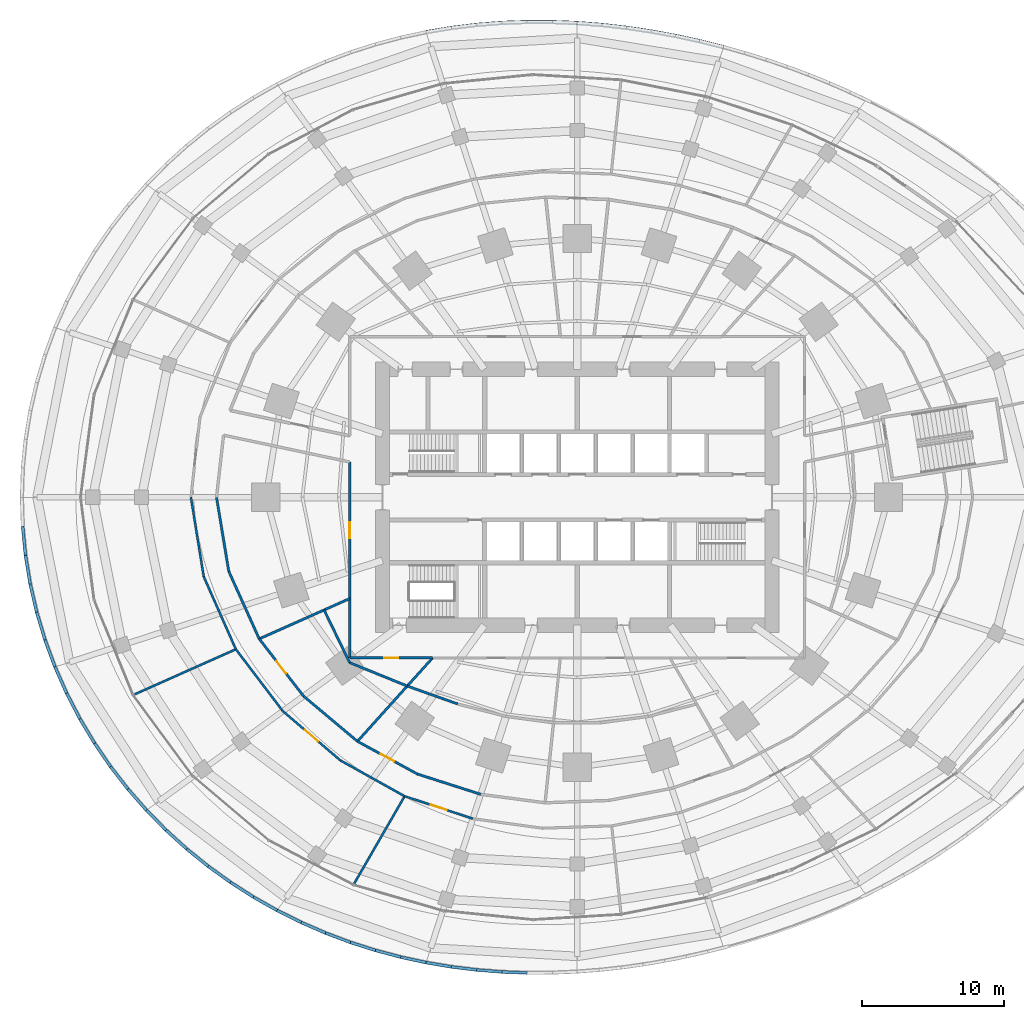
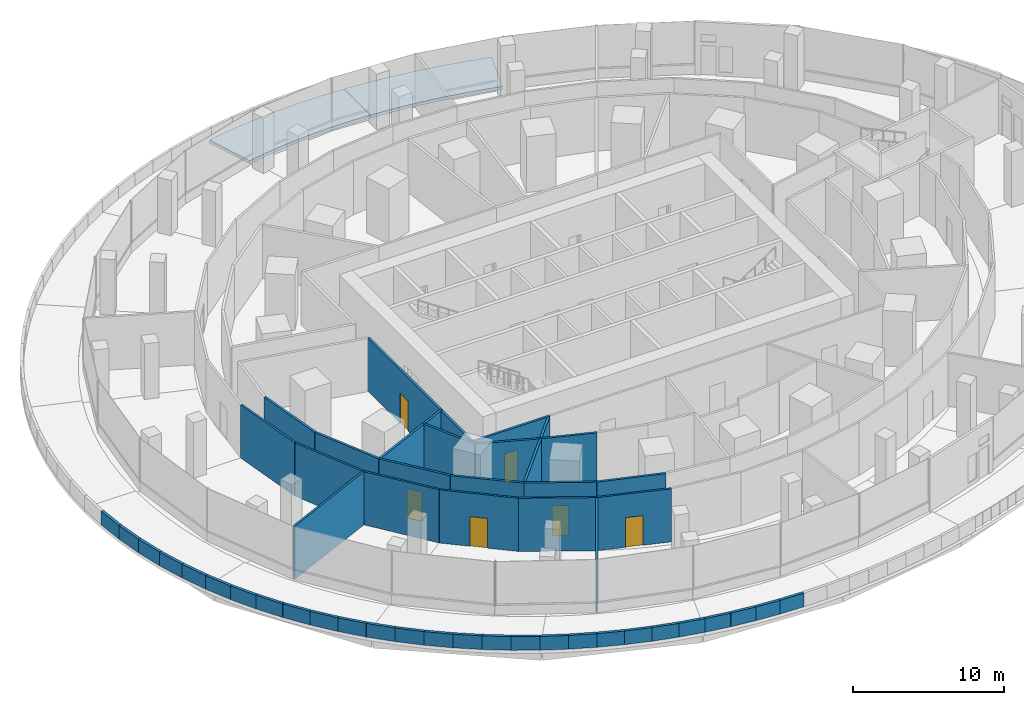
# One storey, part 18 of 27: 48 walls, 6 doors, 2 slabs, 6 openings.
"""IFC4 building model written with IfcOpenShell, lengths in metres."""

import ifcopenshell
import ifcopenshell.guid

model = None  # the IFC model being written
_history = None  # IfcOwnerHistory: only IFC2X3 demands one
_inside = {}  # id of a spatial element -> (the spatial element, [elements in it])
_under = {}  # id of a project, library or spatial element -> (it, [spatial elements below it])
_declared = {}  # id of a project -> (the project, [libraries it declares])
_typed = {}  # id of a type object -> (the type object, [elements of that type])
_made_of = {}  # id of a material, layer set ... -> (it, [elements and type objects made of it])


def new_model(schema):
    """Start an empty IFC model of exactly this schema.

    Asked for "IFC4X3", IfcOpenShell would pick the latest addendum, in which some entities
    have other attributes; the version numbers below select the first issue.
    IFC2X3 requires an IfcOwnerHistory on every rooted entity: one is made here for all.
    """
    global model, _history
    if schema == "IFC4X3":
        model = ifcopenshell.file(schema_version=(4, 3, 0, 0))
    else:
        model = ifcopenshell.file(schema=schema)
    _inside.clear()
    _under.clear()
    _declared.clear()
    _typed.clear()
    _made_of.clear()
    _history = None
    if model.schema == "IFC2X3":
        org = make("IfcOrganization", Name="unknown")
        user = make(
            "IfcPersonAndOrganization",
            ThePerson=make("IfcPerson", FamilyName="unknown"),
            TheOrganization=org,
        )
        app = make(
            "IfcApplication",
            ApplicationDeveloper=org,
            Version="unknown",
            ApplicationFullName="unknown",
            ApplicationIdentifier="unknown",
        )
        _history = make(
            "IfcOwnerHistory",
            OwningUser=user,
            OwningApplication=app,
            ChangeAction="ADDED",
            CreationDate=0,
        )
    return model


def make(cls, **values):
    """One entity of the class cls with the attributes given. An attribute that is None is left unset."""
    return model.create_entity(
        cls, **{name: value for name, value in values.items() if value is not None}
    )


def rooted(cls, **values):
    """An entity with a GlobalId (a new one), such as an element, a storey or a relation."""
    return make(cls, GlobalId=ifcopenshell.guid.new(), OwnerHistory=_history, **values)


def si_unit(unit_type, name, prefix=None):
    """IfcSIUnit, for example si_unit("LENGTHUNIT", "METRE", prefix="MILLI")."""
    return make("IfcSIUnit", UnitType=unit_type, Prefix=prefix, Name=name)


def assignment(units):
    """IfcUnitAssignment: the units of a project."""
    return None if units is None else make("IfcUnitAssignment", Units=units)


def point(xyz):
    """IfcCartesianPoint."""
    return None if xyz is None else make("IfcCartesianPoint", Coordinates=xyz)


def direction(xyz):
    """IfcDirection."""
    return None if xyz is None else make("IfcDirection", DirectionRatios=xyz)


def frame(location, z_axis=None, x_axis=None):
    """IfcAxis2Placement3D, a coordinate frame: its origin and axes. An axis left out is left unset."""
    return make(
        "IfcAxis2Placement3D",
        Location=point(location),
        Axis=direction(z_axis),
        RefDirection=direction(x_axis),
    )


def frame_2d(location, x_axis=None):
    """IfcAxis2Placement2D, a coordinate frame in the plane: its origin and x axis."""
    return make(
        "IfcAxis2Placement2D", Location=point(location), RefDirection=direction(x_axis)
    )


def origin():
    """The frame at (0, 0, 0) with its axes left unset."""
    return frame((0.0, 0.0, 0.0))


def place(relative_to, where):
    """IfcLocalPlacement: puts the frame where relative to a parent placement (None: the world)."""
    return make(
        "IfcLocalPlacement", PlacementRelTo=relative_to, RelativePlacement=where
    )


def context(
    kind, dimensions, precision=None, world=None, true_north=None, identifier=None
):
    """IfcGeometricRepresentationContext, for example the 3D "Model" context."""
    return make(
        "IfcGeometricRepresentationContext",
        ContextIdentifier=identifier,
        ContextType=kind,
        CoordinateSpaceDimension=dimensions,
        Precision=precision,
        WorldCoordinateSystem=world,
        TrueNorth=true_north,
    )


def subcontext(parent, identifier, kind, view, scale=None):
    """IfcGeometricRepresentationSubContext, for example "Body" below "Model"."""
    return make(
        "IfcGeometricRepresentationSubContext",
        ContextIdentifier=identifier,
        ContextType=kind,
        ParentContext=parent,
        TargetScale=scale,
        TargetView=view,
    )


def project(units=None, contexts=None):
    """IfcProject with its units and contexts."""
    return rooted(
        "IfcProject",
        Name="project",
        RepresentationContexts=contexts,
        UnitsInContext=assignment(units),
    )


def spatial(cls, under=None, at=None, **own):
    """A site, building, storey or space (cls), placed at a placement, below another one or the project."""
    s = rooted(cls, ObjectPlacement=at, **own)
    if under is not None:
        _under.setdefault(under.id(), (under, []))[1].append(s)
    return s


def polyline(points):
    """IfcPolyline through the points."""
    return make("IfcPolyline", Points=[point(p) for p in points])


def profile(cls, at=None, kind="AREA", **sizes):
    """A parametric profile (cls). Its sizes go by their IFC names, for example OverallWidth=200.0."""
    return make(cls, ProfileType=kind, Position=at, **sizes)


def rectangle(**sizes):
    """IfcRectangleProfileDef."""
    return profile("IfcRectangleProfileDef", **sizes)


def outline(outer, holes=None, kind="AREA"):
    """IfcArbitraryClosedProfileDef: a profile drawn as a closed curve; with holes, ...WithVoids."""
    if holes is None:
        return make("IfcArbitraryClosedProfileDef", ProfileType=kind, OuterCurve=outer)
    return make(
        "IfcArbitraryProfileDefWithVoids",
        ProfileType=kind,
        OuterCurve=outer,
        InnerCurves=holes,
    )


def extrude(swept, where, along, depth):
    """IfcExtrudedAreaSolid: the profile swept, set in the frame where, extruded along a direction by depth."""
    return make(
        "IfcExtrudedAreaSolid",
        SweptArea=swept,
        Position=where,
        ExtrudedDirection=direction(along),
        Depth=depth,
    )


def shape(context_of_items, identifier, shape_type, items):
    """IfcShapeRepresentation: the items that make up one representation, for example the "Body"."""
    return make(
        "IfcShapeRepresentation",
        ContextOfItems=context_of_items,
        RepresentationIdentifier=identifier,
        RepresentationType=shape_type,
        Items=items,
    )


def material(Name=None, Category=None):
    """IfcMaterial."""
    return make("IfcMaterial", Name=Name, Category=Category)


def layer(
    of_material, thickness, ventilated=None, Name=None, Category=None, Priority=None
):
    """IfcMaterialLayer: one layer of a wall or slab, of a material (None: an air gap)."""
    return make(
        "IfcMaterialLayer",
        Material=of_material,
        LayerThickness=thickness,
        IsVentilated=ventilated,
        Name=Name,
        Category=Category,
        Priority=Priority,
    )


def layer_set(layers, Name=None):
    """IfcMaterialLayerSet."""
    return make("IfcMaterialLayerSet", MaterialLayers=layers, LayerSetName=Name)


def made_of(thing, what):
    """Note that an element or type object is made of a material, layer set ...; save() writes the relation."""
    if what is not None:
        _made_of.setdefault(what.id(), (what, []))[1].append(thing)
    return thing


def type_object(cls, material=None, **own):
    """A type object (cls), such as IfcWallType, which elements share."""
    return made_of(rooted(cls, **own), material)


def element(
    cls,
    number,
    at=None,
    inside=None,
    cuts=None,
    type_object=None,
    material=None,
    context=None,
    identifier="Body",
    shape_type=None,
    held_by="IfcProductDefinitionShape",
    body=None,
    shapes=None,
    **own,
):
    """One element of the class cls, such as IfcWall. Its Tag is "e" and its number.

    at: its placement. inside: the storey or other place that contains it. cuts: it is an
    opening in that element (IfcRelVoidsElement). A single representation is given by context,
    identifier, shape_type and body (its items); several are given by shapes. held_by: the class
    of the entity that holds the representations. save() writes the other relations.
    """
    e = rooted(cls, Tag="e%d" % number, ObjectPlacement=at, **own)
    if body is not None:
        shapes = [shape(context, identifier, shape_type, body)]
    if shapes is not None:
        e.Representation = make(held_by, Representations=shapes)
    if inside is not None:
        _inside.setdefault(inside.id(), (inside, []))[1].append(e)
    if cuts is not None:
        rooted(
            "IfcRelVoidsElement", RelatingBuildingElement=cuts, RelatedOpeningElement=e
        )
    if type_object is not None:
        _typed.setdefault(type_object.id(), (type_object, []))[1].append(e)
    return made_of(e, material)


def fill(opening, filler):
    """IfcRelFillsElement: the door or window that sits in an opening."""
    return rooted(
        "IfcRelFillsElement",
        RelatingOpeningElement=opening,
        RelatedBuildingElement=filler,
    )


def aggregate(whole, parts):
    """IfcRelAggregates: a whole, such as a stair, and the parts it consists of."""
    return rooted("IfcRelAggregates", RelatingObject=whole, RelatedObjects=parts)


def save(model, path):
    """Write the relations noted so far, then the file.

    IfcRelAggregates (storeys below a building ...), IfcRelContainedInSpatialStructure (elements
    in a storey), IfcRelDefinesByType, IfcRelAssociatesMaterial and IfcRelDeclares: one each for
    every whole, place, type object, material and project.
    """
    for whole, parts in _under.values():
        aggregate(whole, parts)
    for where, things in _inside.values():
        rooted(
            "IfcRelContainedInSpatialStructure",
            RelatedElements=things,
            RelatingStructure=where,
        )
    for kind, things in _typed.values():
        rooted("IfcRelDefinesByType", RelatedObjects=things, RelatingType=kind)
    for what, things in _made_of.values():
        rooted("IfcRelAssociatesMaterial", RelatedObjects=things, RelatingMaterial=what)
    for by, libraries in _declared.values():
        rooted("IfcRelDeclares", RelatingContext=by, RelatedDefinitions=libraries)
    model.write(path)


model = new_model("IFC4")

# Units and contexts
model_context = context("Model", 3, precision=1e-05, world=origin(), true_north=direction((0.0, 1.0)))
body_context = subcontext(model_context, "Body", "Model", "MODEL_VIEW")
ifc_project = project(units=[si_unit("LENGTHUNIT", "METRE"), si_unit("AREAUNIT", "SQUARE_METRE"), si_unit("VOLUMEUNIT", "CUBIC_METRE"), si_unit("PLANEANGLEUNIT", "RADIAN"), si_unit("MASSUNIT", "GRAM", prefix="KILO")], contexts=[model_context])

# Site, building, storey
site_placement = place(None, origin())
site = spatial("IfcSite", under=ifc_project, at=site_placement, CompositionType="ELEMENT")
building_placement = place(site_placement, origin())
building = spatial("IfcBuilding", under=site, at=building_placement, Name="Marramba Exchange Tower", CompositionType="ELEMENT")
storey_placement = place(building_placement, frame((0.0, 0.0, 10.60009765625)))
storey = spatial("IfcBuildingStorey", under=building, at=storey_placement, Name="L02", CompositionType="ELEMENT", Elevation=10.60009765625)

# Slabs
ifc_material_1 = material(Name="Concrete N40", Category="concrete")
ifc_layer_1 = layer(ifc_material_1, 0.25)
ifc_layer_set_1 = layer_set([ifc_layer_1], Name="Planted roof slab 250")
slab_type = type_object("IfcSlabType", Name="Planted roof slab 250", PredefinedType="ROOF", material=ifc_layer_set_1)
slab_1_placement = place(storey_placement, frame((0.0, 0.0, -0.25)))
element("IfcSlab", 1, at=slab_1_placement, inside=storey, type_object=slab_type, Name="Planted roof slab L02 bay 05", PredefinedType="ROOF", context=body_context, shape_type="SweptSolid", body=[
    extrude(outline(polyline([(1.74853515625, 33.363037109375), (3.48583984375, 33.164794921875), (5.212158203125, 32.907470703125), (6.927978515625, 32.59375), (8.634521484375, 32.224853515625), (10.3330078125, 31.801513671875), (9.256591796875, 28.48876953125), (7.734375, 28.864990234375), (6.205078125, 29.19287109375), (4.66796875, 29.471923828125), (3.12158203125, 29.700927734375), (1.56591796875, 29.877685546875), (0.0, 30.0), (0.0, 33.5), (1.74853515625, 33.363037109375)])), origin(), (0.0, 0.0, 1.0), 0.25),
])
slab_2_placement = place(storey_placement, frame((0.0, 0.0, -0.25)))
element("IfcSlab", 2, at=slab_2_placement, inside=storey, type_object=slab_type, Name="Planted roof slab L02 bay 06", PredefinedType="ROOF", context=body_context, shape_type="SweptSolid", body=[
    extrude(outline(polyline([(-8.88232421875, 33.1494140625), (-7.0927734375, 33.369140625), (-5.3076171875, 33.5107421875), (-3.529052734375, 33.5771484375), (-1.759521484375, 33.572509765625), (0.0, 33.5), (0.0, 30.0), (-1.57568359375, 30.065185546875), (-3.160400390625, 30.0703125), (-4.75341796875, 30.01220703125), (-6.352783203125, 29.887451171875), (-7.956298828125, 29.693115234375), (-9.56103515625, 29.42578125), (-10.6728515625, 32.84765625), (-8.88232421875, 33.1494140625)])), origin(), (0.0, 0.0, 1.0), 0.25),
])

# Wall
ifc_material_2 = material(Name="Plasterboard on staggered double steel studs, acoustic insulation", Category="steel")
ifc_layer_2 = layer(ifc_material_2, 0.169921875)
ifc_layer_set_2 = layer_set([ifc_layer_2], Name="Acoustic partition 170")
wall_type_1 = type_object("IfcWallType", Name="Acoustic partition 170", PredefinedType="PARTITIONING", material=ifc_layer_set_2)
wall_1_placement = place(storey_placement, frame((-24.5126953125, -5.210205078125, 0.0), z_axis=(0.0, 0.0, 1.0), x_axis=(-0.163281882092, 0.986579458017, 0.0)))
element("IfcWall", 3, at=wall_1_placement, inside=storey, type_object=wall_type_1, Name="Acoustic partition L02 01", PredefinedType="PARTITIONING", context=body_context, shape_type="SweptSolid", body=[
    extrude(rectangle(XDim=5.281005859375, YDim=0.169921875, at=frame_2d((2.640625, 0.0))), origin(), (0.0, 0.0, 1.0), 4.2998046875),
])

# Wall, opening, door
wall_2_placement = place(storey_placement, frame((-16.0, 2.480712890625, 0.0), z_axis=(0.0, 0.0, 1.0), x_axis=(0.0, -1.0, 0.0)))
wall_2 = element("IfcWall", 4, at=wall_2_placement, inside=storey, type_object=wall_type_1, Name="Acoustic partition L02 03", PredefinedType="PARTITIONING", context=body_context, shape_type="SweptSolid", body=[
    extrude(rectangle(XDim=13.78076171875, YDim=0.169921875, at=frame_2d((6.890380859375, 0.0))), origin(), (0.0, 0.0, 1.0), 4.2998046875),
])
opening_1_placement = place(wall_2_placement, frame((4.251953125, 0.0, 0.0)))
opening_1 = element("IfcOpeningElement", 5, at=opening_1_placement, cuts=wall_2, Name="Opening D15", PredefinedType="OPENING", context=body_context, shape_type="SweptSolid", body=[
    extrude(rectangle(XDim=1.10009765625, YDim=2.39990234375, at=frame_2d((0.550048828125, 1.199951171875))), frame((0.0, 0.094970703125, 0.0), z_axis=(0.0, -1.0, 0.0), x_axis=(1.0, 0.0, 0.0)), (0.0, 0.0, 1.0), 0.18994140625),
])
ifc_material_3 = material(Name="Timber door", Category="wood")
door_type_1 = type_object("IfcDoorType", Name="Glazed meeting room door 1100x2400", OperationType="SINGLE_SWING_LEFT", PredefinedType="DOOR", material=ifc_material_3)
door_1_placement = place(opening_1_placement, origin())
door_1 = element("IfcDoor", 6, at=door_1_placement, inside=storey, type_object=door_type_1, Name="D15 Meeting Room 2 L02", OperationType="SINGLE_SWING_RIGHT", OverallHeight=2.39990234375, OverallWidth=1.10009765625, PredefinedType="DOOR", context=body_context, shape_type="SweptSolid", body=[
    extrude(rectangle(XDim=1.10009765625, YDim=2.39990234375, at=frame_2d((0.550048828125, 1.199951171875))), frame((0.0, 0.02490234375, 0.0), z_axis=(0.0, -1.0, 0.0), x_axis=(1.0, 0.0, 0.0)), (0.0, 0.0, 1.0), 0.050048828125),
])
fill(opening_1, door_1)

# Walls
wall_3_placement = place(storey_placement, frame((-22.37060546875, -9.9599609375, 0.0), z_axis=(0.0, 0.0, 1.0), x_axis=(-0.411114624312, 0.911583658079, 0.0)))
element("IfcWall", 7, at=wall_3_placement, inside=storey, type_object=wall_type_1, Name="Acoustic partition L02 04", PredefinedType="PARTITIONING", context=body_context, shape_type="SweptSolid", body=[
    extrude(rectangle(XDim=5.21044921875, YDim=0.169921875, at=frame_2d((2.605224609375, 0.0))), origin(), (0.0, 0.0, 1.0), 4.2998046875),
])
wall_4_placement = place(storey_placement, frame((-16.0, -7.123779296875, 0.0), z_axis=(0.0, 0.0, 1.0), x_axis=(-0.913555829465, -0.406713346781, 0.0)))
element("IfcWall", 8, at=wall_4_placement, inside=storey, type_object=wall_type_1, Name="Acoustic partition L02 06", PredefinedType="PARTITIONING", context=body_context, shape_type="SweptSolid", body=[
    extrude(rectangle(XDim=6.973388671875, YDim=0.169921875, at=frame_2d((3.48681640625, 0.0))), origin(), (0.0, 0.0, 1.0), 4.2998046875),
])

# Wall, opening, door
wall_5_placement = place(storey_placement, frame((-19.251953125, -13.9873046875, 0.0), z_axis=(0.0, 0.0, 1.0), x_axis=(-0.612260193331, 0.790656344856, 0.0)))
wall_5 = element("IfcWall", 9, at=wall_5_placement, inside=storey, type_object=wall_type_1, Name="Acoustic partition L02 08", PredefinedType="PARTITIONING", context=body_context, shape_type="SweptSolid", body=[
    extrude(rectangle(XDim=5.09375, YDim=0.169921875, at=frame_2d((2.546875, 0.0))), origin(), (0.0, 0.0, 1.0), 4.2998046875),
])
opening_2_placement = place(wall_5_placement, frame((2.02197265625, 0.0, 0.0)))
opening_2 = element("IfcOpeningElement", 10, at=opening_2_placement, cuts=wall_5, Name="Opening D15", PredefinedType="OPENING", context=body_context, shape_type="SweptSolid", body=[
    extrude(rectangle(XDim=1.10009765625, YDim=2.39990234375, at=frame_2d((0.550048828125, 1.199951171875))), frame((0.0, 0.094970703125, 0.0), z_axis=(0.0, -1.0, 0.0), x_axis=(1.0, 0.0, 0.0)), (0.0, 0.0, 1.0), 0.18994140625),
])
door_2_placement = place(opening_2_placement, frame((1.10009765625, 0.0, 0.0), z_axis=(0.0, 0.0, 1.0), x_axis=(-1.0, 0.0, 0.0)))
door_2 = element("IfcDoor", 11, at=door_2_placement, inside=storey, type_object=door_type_1, Name="D15 Meeting Room 3 L02", OperationType="SINGLE_SWING_LEFT", OverallHeight=2.39990234375, OverallWidth=1.10009765625, PredefinedType="DOOR", context=body_context, shape_type="SweptSolid", body=[
    extrude(rectangle(XDim=1.10009765625, YDim=2.39990234375, at=frame_2d((0.550048828125, 1.199951171875))), frame((0.0, 0.025146484375, 0.0), z_axis=(0.0, -1.0, 0.0), x_axis=(1.0, 0.0, 0.0)), (0.0, 0.0, 1.0), 0.050048828125),
])
fill(opening_2, door_2)

# Wall
wall_6_placement = place(storey_placement, frame((-16.010498046875, -11.63232421875, 0.0), z_axis=(0.0, 0.0, 1.0), x_axis=(-0.436602321688, 0.899654607445, 0.0)))
element("IfcWall", 12, at=wall_6_placement, inside=storey, type_object=wall_type_1, Name="Acoustic partition L02 10", PredefinedType="PARTITIONING", context=body_context, shape_type="SweptSolid", body=[
    extrude(rectangle(XDim=4.11669921875, YDim=0.169921875, at=frame_2d((2.058349609375, 0.0))), origin(), (0.0, 0.0, 1.0), 4.2998046875),
])

# Wall, opening, door
wall_7_placement = place(storey_placement, frame((-16.0, -11.300048828125, 0.0), z_axis=(0.0, 0.0, 1.0), x_axis=(1.0, 0.0, 0.0)))
wall_7 = element("IfcWall", 13, at=wall_7_placement, inside=storey, type_object=wall_type_1, Name="Acoustic partition L02 11", PredefinedType="PARTITIONING", context=body_context, shape_type="SweptSolid", body=[
    extrude(rectangle(XDim=5.825439453125, YDim=0.169921875, at=frame_2d((2.91259765625, 0.0))), origin(), (0.0, 0.0, 1.0), 4.2998046875),
])
opening_3_placement = place(wall_7_placement, frame((2.4130859375, 0.0, 0.0)))
opening_3 = element("IfcOpeningElement", 14, at=opening_3_placement, cuts=wall_7, Name="Opening D9", PredefinedType="OPENING", context=body_context, shape_type="SweptSolid", body=[
    extrude(rectangle(XDim=1.0, YDim=2.39990234375, at=frame_2d((0.5, 1.199951171875))), frame((0.0, 0.094970703125, 0.0), z_axis=(0.0, -1.0, 0.0), x_axis=(1.0, 0.0, 0.0)), (0.0, 0.0, 1.0), 0.18994140625),
])
door_type_2 = type_object("IfcDoorType", Name="Room door 1000x2400", OperationType="SINGLE_SWING_LEFT", PredefinedType="DOOR", material=ifc_material_3)
door_3_placement = place(opening_3_placement, frame((1.0, 0.0, 0.0), z_axis=(0.0, 0.0, 1.0), x_axis=(-1.0, 0.0, 0.0)))
door_3 = element("IfcDoor", 15, at=door_3_placement, inside=storey, type_object=door_type_2, Name="D9 Quiet Room L02", OperationType="SINGLE_SWING_LEFT", OverallHeight=2.39990234375, OverallWidth=1.0, PredefinedType="DOOR", context=body_context, shape_type="SweptSolid", body=[
    extrude(rectangle(XDim=1.0, YDim=2.39990234375, at=frame_2d((0.5, 1.199951171875))), frame((0.0, 0.025146484375, 0.0), z_axis=(0.0, -1.0, 0.0), x_axis=(1.0, 0.0, 0.0)), (0.0, 0.0, 1.0), 0.050048828125),
])
fill(opening_3, door_3)

# Walls
wall_8_placement = place(storey_placement, frame((-11.95654296875, -13.279296875, 0.0), z_axis=(0.0, 0.0, 1.0), x_axis=(-0.926462321179, 0.376387522955, 0.0)))
element("IfcWall", 16, at=wall_8_placement, inside=storey, type_object=wall_type_1, Name="Acoustic partition L02 12", PredefinedType="PARTITIONING", context=body_context, shape_type="SweptSolid", body=[
    extrude(rectangle(XDim=4.375732421875, YDim=0.169921875, at=frame_2d((2.18798828125, 0.0))), origin(), (0.0, 0.0, 1.0), 4.2998046875),
])
wall_9_placement = place(storey_placement, frame((-15.459716796875, -17.169677734375, 0.0), z_axis=(0.0, 0.0, 1.0), x_axis=(-0.76601371381, 0.642824229673, 0.0)))
element("IfcWall", 17, at=wall_9_placement, inside=storey, type_object=wall_type_1, Name="Acoustic partition L02 13", PredefinedType="PARTITIONING", context=body_context, shape_type="SweptSolid", body=[
    extrude(rectangle(XDim=4.95068359375, YDim=0.169921875, at=frame_2d((2.475341796875, 0.0))), origin(), (0.0, 0.0, 1.0), 4.2998046875),
])
wall_10_placement = place(storey_placement, frame((-10.174560546875, -11.300048828125, 0.0), z_axis=(0.0, 0.0, 1.0), x_axis=(-0.669138902001, -0.743137355964, 0.0)))
element("IfcWall", 18, at=wall_10_placement, inside=storey, type_object=wall_type_1, Name="Acoustic partition L02 15", PredefinedType="PARTITIONING", context=body_context, shape_type="SweptSolid", body=[
    extrude(rectangle(XDim=7.8984375, YDim=0.169921875, at=frame_2d((3.94921875, 0.0))), origin(), (0.0, 0.0, 1.0), 4.2998046875),
])
wall_11_placement = place(storey_placement, frame((-8.39697265625, -14.5439453125, 0.0), z_axis=(0.0, 0.0, 1.0), x_axis=(-0.942296263641, 0.334780154023, 0.0)))
element("IfcWall", 19, at=wall_11_placement, inside=storey, type_object=wall_type_1, Name="Acoustic partition L02 16", PredefinedType="PARTITIONING", context=body_context, shape_type="SweptSolid", body=[
    extrude(rectangle(XDim=3.777587890625, YDim=0.169921875, at=frame_2d((1.888671875, 0.0))), origin(), (0.0, 0.0, 1.0), 4.2998046875),
])

# Wall, opening, door
wall_12_placement = place(storey_placement, frame((-11.240966796875, -19.469970703125, 0.0), z_axis=(0.0, 0.0, 1.0), x_axis=(-0.877969347956, 0.478716851646, 0.0)))
wall_12 = element("IfcWall", 20, at=wall_12_placement, inside=storey, type_object=wall_type_1, Name="Acoustic partition L02 17", PredefinedType="PARTITIONING", context=body_context, shape_type="SweptSolid", body=[
    extrude(rectangle(XDim=4.80517578125, YDim=0.169921875, at=frame_2d((2.402587890625, 0.0))), origin(), (0.0, 0.0, 1.0), 4.2998046875),
])
opening_4_placement = place(wall_12_placement, frame((1.85302734375, 0.0, 0.0)))
opening_4 = element("IfcOpeningElement", 21, at=opening_4_placement, cuts=wall_12, Name="Opening D15", PredefinedType="OPENING", context=body_context, shape_type="SweptSolid", body=[
    extrude(rectangle(XDim=1.10009765625, YDim=2.39990234375, at=frame_2d((0.550048828125, 1.199951171875))), frame((0.0, 0.094970703125, 0.0), z_axis=(0.0, -1.0, 0.0), x_axis=(1.0, 0.0, 0.0)), (0.0, 0.0, 1.0), 0.18994140625),
])
door_4_placement = place(opening_4_placement, origin())
door_4 = element("IfcDoor", 22, at=door_4_placement, inside=storey, type_object=door_type_1, Name="D15 Meeting Room 4 L02", OperationType="SINGLE_SWING_RIGHT", OverallHeight=2.39990234375, OverallWidth=1.10009765625, PredefinedType="DOOR", context=body_context, shape_type="SweptSolid", body=[
    extrude(rectangle(XDim=1.10009765625, YDim=2.39990234375, at=frame_2d((0.550048828125, 1.199951171875))), frame((0.0, 0.02490234375, 0.0), z_axis=(0.0, -1.0, 0.0), x_axis=(1.0, 0.0, 0.0)), (0.0, 0.0, 1.0), 0.050048828125),
])
fill(opening_4, door_4)

# Walls
wall_13_placement = place(storey_placement, frame((-6.78955078125, -20.896240234375, 0.0), z_axis=(0.0, 0.0, 1.0), x_axis=(-0.952311283162, 0.305128202503, 0.0)))
element("IfcWall", 23, at=wall_13_placement, inside=storey, type_object=wall_type_1, Name="Acoustic partition L02 21", PredefinedType="PARTITIONING", context=body_context, shape_type="SweptSolid", body=[
    extrude(rectangle(XDim=4.67431640625, YDim=0.169921875, at=frame_2d((2.337158203125, 0.0))), origin(), (0.0, 0.0, 1.0), 4.2998046875),
])
ifc_layer_3 = layer(ifc_material_1, 0.199951171875)
ifc_layer_set_3 = layer_set([ifc_layer_3], Name="Roof parapet 200")
wall_type_2 = type_object("IfcWallType", Name="Roof parapet 200", PredefinedType="PARAPET", material=ifc_layer_set_3)
wall_14_placement = place(storey_placement, frame((-39.013427734375, -2.044677734375, 0.0), z_axis=(0.0, 0.0, 1.0), x_axis=(0.097316329172, -0.995253501414, 0.0)))
element("IfcWall", 24, at=wall_14_placement, inside=storey, type_object=wall_type_2, Name="Parapet L02 bay 11", PredefinedType="PARAPET", context=body_context, shape_type="SweptSolid", body=[
    extrude(rectangle(XDim=2.044677734375, YDim=0.199951171875, at=frame_2d((1.0224609375, 0.0))), origin(), (0.0, 0.0, 1.0), 1.099853515625),
])
wall_15_placement = place(storey_placement, frame((-38.814453125, -4.07958984375, 0.0), z_axis=(0.0, 0.0, 1.0), x_axis=(0.161607098234, -0.98685517975, 0.0)))
element("IfcWall", 25, at=wall_15_placement, inside=storey, type_object=wall_type_2, Name="Parapet L02 bay 11", PredefinedType="PARAPET", context=body_context, shape_type="SweptSolid", body=[
    extrude(rectangle(XDim=2.04248046875, YDim=0.199951171875, at=frame_2d((1.021240234375, 0.0))), origin(), (0.0, 0.0, 1.0), 1.099853515625),
])
wall_16_placement = place(storey_placement, frame((-38.484375, -6.09521484375, 0.0), z_axis=(0.0, 0.0, 1.0), x_axis=(0.22466718367, -0.974435557942, 0.0)))
element("IfcWall", 26, at=wall_16_placement, inside=storey, type_object=wall_type_2, Name="Parapet L02 bay 11", PredefinedType="PARAPET", context=body_context, shape_type="SweptSolid", body=[
    extrude(rectangle(XDim=2.039794921875, YDim=0.199951171875, at=frame_2d((1.02001953125, 0.0))), origin(), (0.0, 0.0, 1.0), 1.099853515625),
])
wall_17_placement = place(storey_placement, frame((-38.026123046875, -8.082763671875, 0.0), z_axis=(0.0, 0.0, 1.0), x_axis=(0.28656644819, -0.958060369064, 0.0)))
element("IfcWall", 27, at=wall_17_placement, inside=storey, type_object=wall_type_2, Name="Parapet L02 bay 11", PredefinedType="PARAPET", context=body_context, shape_type="SweptSolid", body=[
    extrude(rectangle(XDim=2.035400390625, YDim=0.199951171875, at=frame_2d((1.017578125, 0.0))), origin(), (0.0, 0.0, 1.0), 1.099853515625),
])
wall_18_placement = place(storey_placement, frame((-37.44287109375, -10.03271484375, 0.0), z_axis=(0.0, 0.0, 1.0), x_axis=(0.3465466429, -0.93803274159, 0.0)))
element("IfcWall", 28, at=wall_18_placement, inside=storey, type_object=wall_type_2, Name="Parapet L02 bay 11", PredefinedType="PARAPET", context=body_context, shape_type="SweptSolid", body=[
    extrude(rectangle(XDim=2.0302734375, YDim=0.199951171875, at=frame_2d((1.01513671875, 0.0))), origin(), (0.0, 0.0, 1.0), 1.099853515625),
])
wall_19_placement = place(storey_placement, frame((-36.7392578125, -11.937255859375, 0.0), z_axis=(0.0, 0.0, 1.0), x_axis=(0.404604937505, -0.914491577078, 0.0)))
element("IfcWall", 29, at=wall_19_placement, inside=storey, type_object=wall_type_2, Name="Parapet L02 bay 12", PredefinedType="PARAPET", context=body_context, shape_type="SweptSolid", body=[
    extrude(rectangle(XDim=2.0244140625, YDim=0.199951171875, at=frame_2d((1.01220703125, 0.0))), origin(), (0.0, 0.0, 1.0), 1.099853515625),
])
wall_20_placement = place(storey_placement, frame((-35.920166015625, -13.78857421875, 0.0), z_axis=(0.0, 0.0, 1.0), x_axis=(0.460430217166, -0.88769590239, 0.0)))
element("IfcWall", 30, at=wall_20_placement, inside=storey, type_object=wall_type_2, Name="Parapet L02 bay 12", PredefinedType="PARAPET", context=body_context, shape_type="SweptSolid", body=[
    extrude(rectangle(XDim=2.01708984375, YDim=0.199951171875, at=frame_2d((1.008544921875, 0.0))), origin(), (0.0, 0.0, 1.0), 1.099853515625),
])
wall_21_placement = place(storey_placement, frame((-34.991455078125, -15.5791015625, 0.0), z_axis=(0.0, 0.0, 1.0), x_axis=(0.513959610248, -0.857814384954, 0.0)))
element("IfcWall", 31, at=wall_21_placement, inside=storey, type_object=wall_type_2, Name="Parapet L02 bay 12", PredefinedType="PARAPET", context=body_context, shape_type="SweptSolid", body=[
    extrude(rectangle(XDim=2.00927734375, YDim=0.199951171875, at=frame_2d((1.004638671875, 0.0))), origin(), (0.0, 0.0, 1.0), 1.099853515625),
])
wall_22_placement = place(storey_placement, frame((-33.958740234375, -17.302734375, 0.0), z_axis=(0.0, 0.0, 1.0), x_axis=(0.564740783421, -0.825268348806, 0.0)))
element("IfcWall", 32, at=wall_22_placement, inside=storey, type_object=wall_type_2, Name="Parapet L02 bay 12", PredefinedType="PARAPET", context=body_context, shape_type="SweptSolid", body=[
    extrude(rectangle(XDim=2.000732421875, YDim=0.199951171875, at=frame_2d((1.00048828125, 0.0))), origin(), (0.0, 0.0, 1.0), 1.099853515625),
])
wall_23_placement = place(storey_placement, frame((-32.828857421875, -18.953857421875, 0.0), z_axis=(0.0, 0.0, 1.0), x_axis=(0.612929786797, -0.790137378218, 0.0)))
element("IfcWall", 33, at=wall_23_placement, inside=storey, type_object=wall_type_2, Name="Parapet L02 bay 12", PredefinedType="PARAPET", context=body_context, shape_type="SweptSolid", body=[
    extrude(rectangle(XDim=1.99072265625, YDim=0.199951171875, at=frame_2d((0.995361328125, 0.0))), origin(), (0.0, 0.0, 1.0), 1.099853515625),
])
wall_24_placement = place(storey_placement, frame((-31.608642578125, -20.52685546875, 0.0), z_axis=(0.0, 0.0, 1.0), x_axis=(0.658452248257, -0.752622506151, 0.0)))
element("IfcWall", 34, at=wall_24_placement, inside=storey, type_object=wall_type_2, Name="Parapet L02 bay 12", PredefinedType="PARAPET", context=body_context, shape_type="SweptSolid", body=[
    extrude(rectangle(XDim=1.980712890625, YDim=0.199951171875, at=frame_2d((0.990234375, 0.0))), origin(), (0.0, 0.0, 1.0), 1.099853515625),
])
wall_25_placement = place(storey_placement, frame((-30.304443359375, -22.017578125, 0.0), z_axis=(0.0, 0.0, 1.0), x_axis=(0.701006541383, -0.713154842189, 0.0)))
element("IfcWall", 35, at=wall_25_placement, inside=storey, type_object=wall_type_2, Name="Parapet L02 bay 13", PredefinedType="PARAPET", context=body_context, shape_type="SweptSolid", body=[
    extrude(rectangle(XDim=1.969482421875, YDim=0.199951171875, at=frame_2d((0.98486328125, 0.0))), origin(), (0.0, 0.0, 1.0), 1.099853515625),
])
wall_26_placement = place(storey_placement, frame((-28.923828125, -23.422119140625, 0.0), z_axis=(0.0, 0.0, 1.0), x_axis=(0.74068440055, -0.671853122923, 0.0)))
element("IfcWall", 36, at=wall_26_placement, inside=storey, type_object=wall_type_2, Name="Parapet L02 bay 13", PredefinedType="PARAPET", context=body_context, shape_type="SweptSolid", body=[
    extrude(rectangle(XDim=1.9580078125, YDim=0.199951171875, at=frame_2d((0.97900390625, 0.0))), origin(), (0.0, 0.0, 1.0), 1.099853515625),
])
wall_27_placement = place(storey_placement, frame((-27.4736328125, -24.737548828125, 0.0), z_axis=(0.0, 0.0, 1.0), x_axis=(0.777428951091, -0.62897076721, 0.0)))
element("IfcWall", 37, at=wall_27_placement, inside=storey, type_object=wall_type_2, Name="Parapet L02 bay 13", PredefinedType="PARAPET", context=body_context, shape_type="SweptSolid", body=[
    extrude(rectangle(XDim=1.945556640625, YDim=0.199951171875, at=frame_2d((0.97265625, 0.0))), origin(), (0.0, 0.0, 1.0), 1.099853515625),
])
wall_28_placement = place(storey_placement, frame((-25.961181640625, -25.961181640625, 0.0), z_axis=(0.0, 0.0, 1.0), x_axis=(0.811371406803, -0.584530957454, 0.0)))
element("IfcWall", 38, at=wall_28_placement, inside=storey, type_object=wall_type_2, Name="Parapet L02 bay 13", PredefinedType="PARAPET", context=body_context, shape_type="SweptSolid", body=[
    extrude(rectangle(XDim=1.932861328125, YDim=0.199951171875, at=frame_2d((0.96630859375, 0.0))), origin(), (0.0, 0.0, 1.0), 1.099853515625),
])
wall_29_placement = place(storey_placement, frame((-24.392822265625, -27.091064453125, 0.0), z_axis=(0.0, 0.0, 1.0), x_axis=(0.842160518729, -0.53922691021, 0.0)))
element("IfcWall", 39, at=wall_29_placement, inside=storey, type_object=wall_type_2, Name="Parapet L02 bay 13", PredefinedType="PARAPET", context=body_context, shape_type="SweptSolid", body=[
    extrude(rectangle(XDim=1.919677734375, YDim=0.199951171875, at=frame_2d((0.9599609375, 0.0))), origin(), (0.0, 0.0, 1.0), 1.099853515625),
])
wall_30_placement = place(storey_placement, frame((-22.776123046875, -28.126220703125, 0.0), z_axis=(0.0, 0.0, 1.0), x_axis=(0.870128372589, -0.49282513655, 0.0)))
element("IfcWall", 40, at=wall_30_placement, inside=storey, type_object=wall_type_2, Name="Parapet L02 bay 13", PredefinedType="PARAPET", context=body_context, shape_type="SweptSolid", body=[
    extrude(rectangle(XDim=1.90625, YDim=0.199951171875, at=frame_2d((0.953125, 0.0))), origin(), (0.0, 0.0, 1.0), 1.099853515625),
])
wall_31_placement = place(storey_placement, frame((-21.117431640625, -29.065673828125, 0.0), z_axis=(0.0, 0.0, 1.0), x_axis=(0.895045563727, -0.445974706516, 0.0)))
element("IfcWall", 41, at=wall_31_placement, inside=storey, type_object=wall_type_2, Name="Parapet L02 bay 14", PredefinedType="PARAPET", context=body_context, shape_type="SweptSolid", body=[
    extrude(rectangle(XDim=1.892578125, YDim=0.199951171875, at=frame_2d((0.9462890625, 0.0))), origin(), (0.0, 0.0, 1.0), 1.099853515625),
])
wall_32_placement = place(storey_placement, frame((-19.423583984375, -29.90966796875, 0.0), z_axis=(0.0, 0.0, 1.0), x_axis=(0.917082452018, -0.398697599942, 0.0)))
element("IfcWall", 42, at=wall_32_placement, inside=storey, type_object=wall_type_2, Name="Parapet L02 bay 14", PredefinedType="PARAPET", context=body_context, shape_type="SweptSolid", body=[
    extrude(rectangle(XDim=1.878662109375, YDim=0.199951171875, at=frame_2d((0.939453125, 0.0))), origin(), (0.0, 0.0, 1.0), 1.099853515625),
])
wall_33_placement = place(storey_placement, frame((-17.70068359375, -30.65869140625, 0.0), z_axis=(0.0, 0.0, 1.0), x_axis=(0.936253818033, -0.351324334795, 0.0)))
element("IfcWall", 43, at=wall_33_placement, inside=storey, type_object=wall_type_2, Name="Parapet L02 bay 14", PredefinedType="PARAPET", context=body_context, shape_type="SweptSolid", body=[
    extrude(rectangle(XDim=1.864501953125, YDim=0.199951171875, at=frame_2d((0.93212890625, 0.0))), origin(), (0.0, 0.0, 1.0), 1.099853515625),
])
wall_34_placement = place(storey_placement, frame((-15.955078125, -31.313720703125, 0.0), z_axis=(0.0, 0.0, 1.0), x_axis=(0.952681161271, -0.30397138839, 0.0)))
element("IfcWall", 44, at=wall_34_placement, inside=storey, type_object=wall_type_2, Name="Parapet L02 bay 14", PredefinedType="PARAPET", context=body_context, shape_type="SweptSolid", body=[
    extrude(rectangle(XDim=1.8505859375, YDim=0.199951171875, at=frame_2d((0.92529296875, 0.0))), origin(), (0.0, 0.0, 1.0), 1.099853515625),
])
wall_35_placement = place(storey_placement, frame((-14.192138671875, -31.876220703125, 0.0), z_axis=(0.0, 0.0, 1.0), x_axis=(0.966347378335, -0.257240635174, 0.0)))
element("IfcWall", 45, at=wall_35_placement, inside=storey, type_object=wall_type_2, Name="Parapet L02 bay 14", PredefinedType="PARAPET", context=body_context, shape_type="SweptSolid", body=[
    extrude(rectangle(XDim=1.83642578125, YDim=0.199951171875, at=frame_2d((0.918212890625, 0.0))), origin(), (0.0, 0.0, 1.0), 1.099853515625),
])
wall_36_placement = place(storey_placement, frame((-12.41748046875, -32.3486328125, 0.0), z_axis=(0.0, 0.0, 1.0), x_axis=(0.977467969996, -0.211083792918, 0.0)))
element("IfcWall", 46, at=wall_36_placement, inside=storey, type_object=wall_type_2, Name="Parapet L02 bay 14", PredefinedType="PARAPET", context=body_context, shape_type="SweptSolid", body=[
    extrude(rectangle(XDim=1.82275390625, YDim=0.199951171875, at=frame_2d((0.911376953125, 0.0))), origin(), (0.0, 0.0, 1.0), 1.099853515625),
])
wall_37_placement = place(storey_placement, frame((-10.6357421875, -32.7333984375, 0.0), z_axis=(0.0, 0.0, 1.0), x_axis=(0.986155870831, -0.165820983069, 0.0)))
element("IfcWall", 47, at=wall_37_placement, inside=storey, type_object=wall_type_2, Name="Parapet L02 bay 15", PredefinedType="PARAPET", context=body_context, shape_type="SweptSolid", body=[
    extrude(rectangle(XDim=1.8095703125, YDim=0.199951171875, at=frame_2d((0.90478515625, 0.0))), origin(), (0.0, 0.0, 1.0), 1.099853515625),
])
wall_38_placement = place(storey_placement, frame((-8.851318359375, -33.033447265625, 0.0), z_axis=(0.0, 0.0, 1.0), x_axis=(0.992594415476, -0.121475620457, 0.0)))
element("IfcWall", 48, at=wall_38_placement, inside=storey, type_object=wall_type_2, Name="Parapet L02 bay 15", PredefinedType="PARAPET", context=body_context, shape_type="SweptSolid", body=[
    extrude(rectangle(XDim=1.796875, YDim=0.199951171875, at=frame_2d((0.8984375, 0.0))), origin(), (0.0, 0.0, 1.0), 1.099853515625),
])
wall_39_placement = place(storey_placement, frame((-7.06787109375, -33.251708984375, 0.0), z_axis=(0.0, 0.0, 1.0), x_axis=(0.996901254951, -0.078663129079, 0.0)))
element("IfcWall", 49, at=wall_39_placement, inside=storey, type_object=wall_type_2, Name="Parapet L02 bay 15", PredefinedType="PARAPET", context=body_context, shape_type="SweptSolid", body=[
    extrude(rectangle(XDim=1.78466796875, YDim=0.199951171875, at=frame_2d((0.892333984375, 0.0))), origin(), (0.0, 0.0, 1.0), 1.099853515625),
])
wall_40_placement = place(storey_placement, frame((-5.288818359375, -33.39208984375, 0.0), z_axis=(0.0, 0.0, 1.0), x_axis=(0.999314079228, -0.037032027457, 0.0)))
element("IfcWall", 50, at=wall_40_placement, inside=storey, type_object=wall_type_2, Name="Parapet L02 bay 15", PredefinedType="PARAPET", context=body_context, shape_type="SweptSolid", body=[
    extrude(rectangle(XDim=1.7734375, YDim=0.199951171875, at=frame_2d((0.88671875, 0.0))), origin(), (0.0, 0.0, 1.0), 1.099853515625),
])
ifc_material_4 = material(Name="Fire-rated plasterboard on steel studs, acoustic insulation", Category="steel")
ifc_layer_4 = layer(ifc_material_4, 0.14990234375)
ifc_layer_set_4 = layer_set([ifc_layer_4], Name="Tenancy wall 150")
wall_type_3 = type_object("IfcWallType", Name="Tenancy wall 150", PredefinedType="PARTITIONING", material=ifc_layer_set_4)
wall_41_placement = place(storey_placement, frame((-27.175048828125, 0.0, 0.0), z_axis=(0.0, 0.0, 1.0), x_axis=(0.159378978447, -0.987217474131, 0.0)))
element("IfcWall", 51, at=wall_41_placement, inside=storey, type_object=wall_type_3, Name="Tenancy wall L02 02", PredefinedType="PARTITIONING", context=body_context, shape_type="SweptSolid", body=[
    extrude(rectangle(XDim=5.656982421875, YDim=0.14990234375, at=frame_2d((2.82861328125, 0.0))), origin(), (0.0, 0.0, 1.0), 4.2998046875),
])
wall_42_placement = place(storey_placement, frame((-26.2734375, -5.584716796875, 0.0), z_axis=(0.0, 0.0, 1.0), x_axis=(0.404430072411, -0.914568923882, 0.0)))
element("IfcWall", 52, at=wall_42_placement, inside=storey, type_object=wall_type_3, Name="Tenancy wall L02 05", PredefinedType="PARTITIONING", context=body_context, shape_type="SweptSolid", body=[
    extrude(rectangle(XDim=5.58447265625, YDim=0.14990234375, at=frame_2d((2.792236328125, 0.0))), origin(), (0.0, 0.0, 1.0), 4.2998046875),
])
wall_43_placement = place(storey_placement, frame((-24.014892578125, -10.692138671875, 0.0), z_axis=(0.0, 0.0, 1.0), x_axis=(-0.913543726452, -0.406740531372, 0.0)))
element("IfcWall", 53, at=wall_43_placement, inside=storey, type_object=wall_type_3, Name="Tenancy wall L02 07", PredefinedType="PARTITIONING", context=body_context, shape_type="SweptSolid", body=[
    extrude(rectangle(XDim=7.82470703125, YDim=0.14990234375, at=frame_2d((3.912353515625, 0.0))), origin(), (0.0, 0.0, 1.0), 4.2998046875),
])
wall_44_placement = place(storey_placement, frame((-24.014892578125, -10.692138671875, 0.0), z_axis=(0.0, 0.0, 1.0), x_axis=(0.604897551992, -0.79630330377, 0.0)))
element("IfcWall", 54, at=wall_44_placement, inside=storey, type_object=wall_type_3, Name="Tenancy wall L02 09", PredefinedType="PARTITIONING", context=body_context, shape_type="SweptSolid", body=[
    extrude(rectangle(XDim=5.466796875, YDim=0.14990234375, at=frame_2d((2.7333984375, 0.0))), origin(), (0.0, 0.0, 1.0), 4.2998046875),
])

# Wall, opening, door
wall_45_placement = place(storey_placement, frame((-20.7080078125, -15.04541015625, 0.0), z_axis=(0.0, 0.0, 1.0), x_axis=(0.759657885164, -0.650322917871, 0.0)))
wall_45 = element("IfcWall", 55, at=wall_45_placement, inside=storey, type_object=wall_type_3, Name="Tenancy wall L02 14", PredefinedType="PARTITIONING", context=body_context, shape_type="SweptSolid", body=[
    extrude(rectangle(XDim=5.323486328125, YDim=0.14990234375, at=frame_2d((2.66162109375, 0.0))), origin(), (0.0, 0.0, 1.0), 4.2998046875),
])
opening_5_placement = place(wall_45_placement, frame((2.06201171875, 0.0, 0.0)))
opening_5 = element("IfcOpeningElement", 56, at=opening_5_placement, cuts=wall_45, Name="Opening D13", PredefinedType="OPENING", context=body_context, shape_type="SweptSolid", body=[
    extrude(rectangle(XDim=1.199951171875, YDim=2.39990234375, at=frame_2d((0.60009765625, 1.199951171875))), frame((0.0, 0.0849609375, 0.0), z_axis=(0.0, -1.0, 0.0), x_axis=(1.0, 0.0, 0.0)), (0.0, 0.0, 1.0), 0.169921875),
])
ifc_material_5 = material(Name="Steel-framed door", Category="steel")
door_type_3 = type_object("IfcDoorType", Name="Tenancy entry door 1200x2400", OperationType="SINGLE_SWING_LEFT", PredefinedType="DOOR", material=ifc_material_5)
door_5_placement = place(opening_5_placement, origin())
door_5 = element("IfcDoor", 57, at=door_5_placement, inside=storey, type_object=door_type_3, Name="D13 Risk Office L02", OperationType="SINGLE_SWING_LEFT", OverallHeight=2.39990234375, OverallWidth=1.199951171875, PredefinedType="DOOR", context=body_context, shape_type="SweptSolid", body=[
    extrude(rectangle(XDim=1.199951171875, YDim=2.39990234375, at=frame_2d((0.60009765625, 1.199951171875))), frame((0.0, 0.02490234375, 0.0), z_axis=(0.0, -1.0, 0.0), x_axis=(1.0, 0.0, 0.0)), (0.0, 0.0, 1.0), 0.050048828125),
])
fill(opening_5, door_5)

# Walls
wall_46_placement = place(storey_placement, frame((-16.6640625, -18.50732421875, 0.0), z_axis=(0.0, 0.0, 1.0), x_axis=(0.873440229319, -0.486931376898, 0.0)))
element("IfcWall", 58, at=wall_46_placement, inside=storey, type_object=wall_type_3, Name="Tenancy wall L02 18", PredefinedType="PARTITIONING", context=body_context, shape_type="SweptSolid", body=[
    extrude(rectangle(XDim=5.17822265625, YDim=0.14990234375, at=frame_2d((2.589111328125, 0.0))), origin(), (0.0, 0.0, 1.0), 4.2998046875),
])
wall_47_placement = place(storey_placement, frame((-12.14111328125, -21.02880859375, 0.0), z_axis=(0.0, 0.0, 1.0), x_axis=(-0.499977423098, -0.866038438173, 0.0)))
element("IfcWall", 59, at=wall_47_placement, inside=storey, type_object=wall_type_3, Name="Tenancy wall L02 19", PredefinedType="PARTITIONING", context=body_context, shape_type="SweptSolid", body=[
    extrude(rectangle(XDim=7.128173828125, YDim=0.14990234375, at=frame_2d((3.56396484375, 0.0))), origin(), (0.0, 0.0, 1.0), 4.2998046875),
])

# Wall, opening, door
wall_48_placement = place(storey_placement, frame((-12.14111328125, -21.02880859375, 0.0), z_axis=(0.0, 0.0, 1.0), x_axis=(0.949808812445, -0.312830976412, 0.0)))
wall_48 = element("IfcWall", 60, at=wall_48_placement, inside=storey, type_object=wall_type_3, Name="Tenancy wall L02 22", PredefinedType="PARTITIONING", context=body_context, shape_type="SweptSolid", body=[
    extrude(rectangle(XDim=5.048583984375, YDim=0.14990234375, at=frame_2d((2.5244140625, 0.0))), origin(), (0.0, 0.0, 1.0), 4.2998046875),
])
opening_6_placement = place(wall_48_placement, frame((1.924072265625, 0.0, 0.0)))
opening_6 = element("IfcOpeningElement", 61, at=opening_6_placement, cuts=wall_48, Name="Opening D13", PredefinedType="OPENING", context=body_context, shape_type="SweptSolid", body=[
    extrude(rectangle(XDim=1.199951171875, YDim=2.39990234375, at=frame_2d((0.60009765625, 1.199951171875))), frame((0.0, 0.0849609375, 0.0), z_axis=(0.0, -1.0, 0.0), x_axis=(1.0, 0.0, 0.0)), (0.0, 0.0, 1.0), 0.169921875),
])
door_6_placement = place(opening_6_placement, origin())
door_6 = element("IfcDoor", 62, at=door_6_placement, inside=storey, type_object=door_type_3, Name="D13 Operations Support Office L02", OperationType="SINGLE_SWING_LEFT", OverallHeight=2.39990234375, OverallWidth=1.199951171875, PredefinedType="DOOR", context=body_context, shape_type="SweptSolid", body=[
    extrude(rectangle(XDim=1.199951171875, YDim=2.39990234375, at=frame_2d((0.60009765625, 1.199951171875))), frame((0.0, 0.02490234375, 0.0), z_axis=(0.0, -1.0, 0.0), x_axis=(1.0, 0.0, 0.0)), (0.0, 0.0, 1.0), 0.050048828125),
])
fill(opening_6, door_6)

save(model, "model.ifc")
